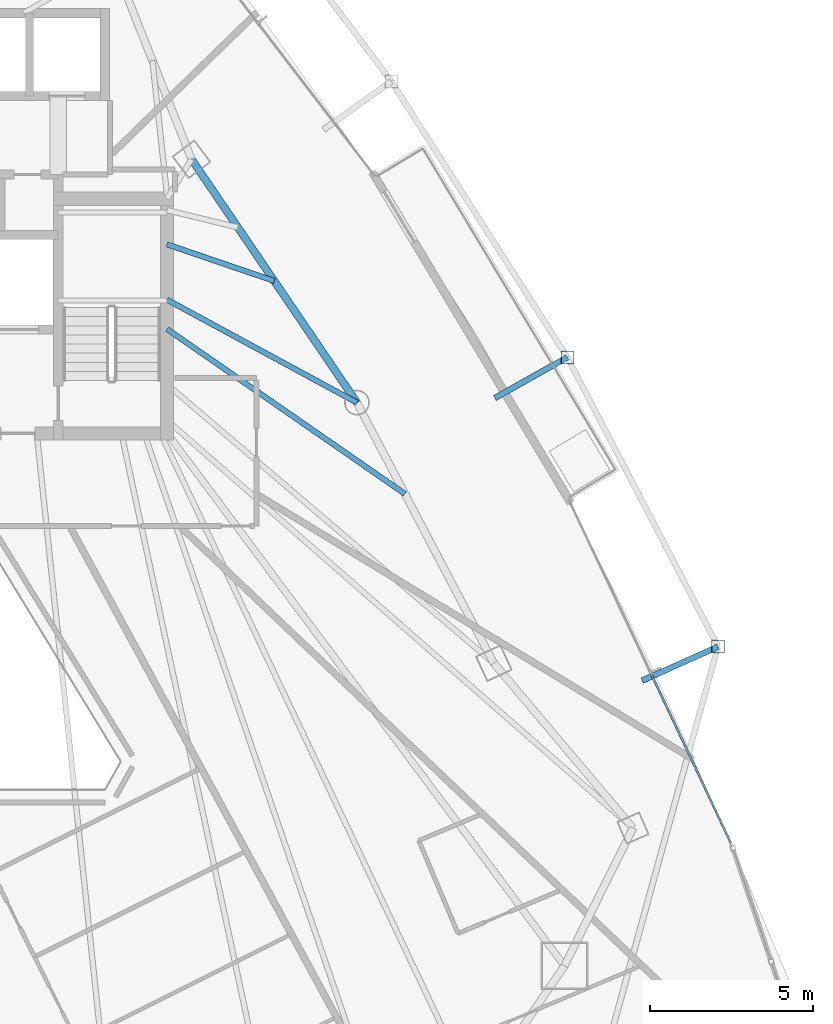
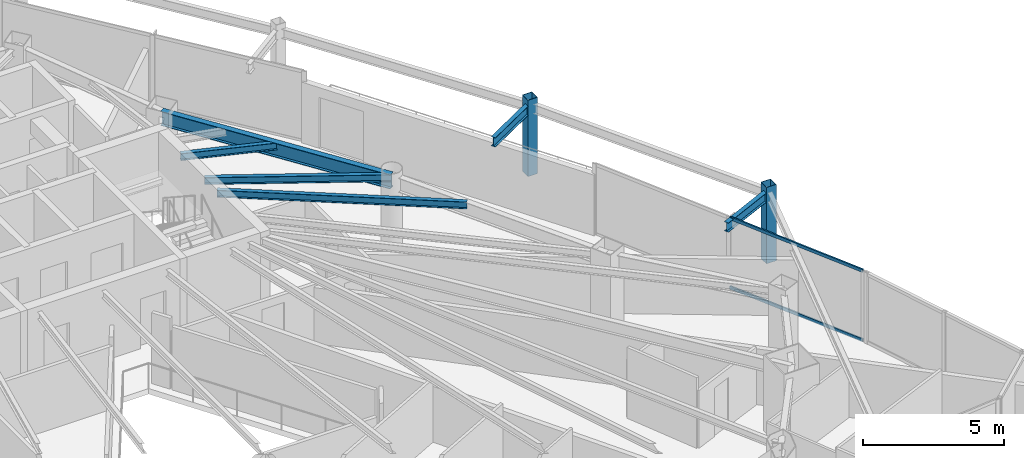
# One storey, part 16 of 31: 6 beams, 4 members, 1 element without a shape of its own.
"""IFC4 building model written with IfcOpenShell, lengths in metres."""

from ifc_helpers import new_model, si_unit, direction, frame, origin, origin_2d, place, context, subcontext, project, spatial, hollow_rectangle, i_section, extrude, material, layer, layer_set, material_profile, profile_set, type_object, element, aggregate, save


model = new_model("IFC4")

# Units and contexts
model_context = context("Model", 3, precision=1e-05, world=origin(), true_north=direction((0.0, 1.0)))
body_context = subcontext(model_context, "Body", "Model", "MODEL_VIEW")
ifc_project = project(units=[si_unit("LENGTHUNIT", "METRE"), si_unit("AREAUNIT", "SQUARE_METRE"), si_unit("VOLUMEUNIT", "CUBIC_METRE"), si_unit("PLANEANGLEUNIT", "RADIAN"), si_unit("MASSUNIT", "GRAM", prefix="KILO")], contexts=[model_context])

# Site, building, storey
site_placement = place(None, origin())
site = spatial("IfcSite", under=ifc_project, at=site_placement, CompositionType="ELEMENT")
building_placement = place(site_placement, origin())
building = spatial("IfcBuilding", under=site, at=building_placement, Name="Orvanel Arch Residences", CompositionType="ELEMENT")
storey_placement = place(building_placement, frame((0.0, 0.0, 106.699951171875)))
storey = spatial("IfcBuildingStorey", under=building, at=storey_placement, Name="L29", CompositionType="ELEMENT", Elevation=106.699951171875)

# Beams
ifc_material_1 = material(Name="Structural steel AS/NZS 3679.1 Grade 300 (300 MPa)", Category="steel")
ifc_material_profile_1 = material_profile(ifc_material_1, i_section(OverallWidth=0.1650390625, OverallDepth=0.303955078125, WebThickness=0.006103515625, FlangeThickness=0.01025390625, at=origin_2d()), Name="310UB40.4")
ifc_profile_set_1 = profile_set([ifc_material_profile_1], Name="Structural steel AS/NZS 3679.1 Grade 300 (300 MPa)")
beam_type_1 = type_object("IfcBeamType", Name="BJ-310UB", PredefinedType="JOIST", material=ifc_profile_set_1)
beam_1_placement = place(storey_placement, frame((39.60009765625, 30.800048828125, 2.907958984375), z_axis=(0.87925534649, -0.476350748576, 0.0), x_axis=(0.476350748576, 0.87925534649, 0.0)))
element("IfcBeam", 1, at=beam_1_placement, inside=storey, type_object=beam_type_1, Name="L29 NE Wing Floor Joist", PredefinedType="JOIST", context=body_context, shape_type="SweptSolid", body=[
    extrude(i_section(OverallWidth=0.1650390625, OverallDepth=0.303955078125, WebThickness=0.006103515625, FlangeThickness=0.01025390625, at=origin_2d()), origin(), (0.0, 0.0, 1.0), 6.631591796875),
])
beam_2_placement = place(storey_placement, frame((39.60009765625, 32.5, 2.907958984375), z_axis=(0.9464126781, -0.322959815969, 0.0), x_axis=(0.322959815969, 0.9464126781, 0.0)))
element("IfcBeam", 2, at=beam_2_placement, inside=storey, type_object=beam_type_1, Name="L29 ENE Wing Floor Joist", PredefinedType="JOIST", context=body_context, shape_type="SweptSolid", body=[
    extrude(i_section(OverallWidth=0.1650390625, OverallDepth=0.303955078125, WebThickness=0.006103515625, FlangeThickness=0.01025390625, at=origin_2d()), origin(), (0.0, 0.0, 1.0), 3.477294921875),
])
beam_3_placement = place(storey_placement, frame((39.60009765625, 29.89990234375, 2.907958984375), z_axis=(0.822002180325, -0.569484341787, 0.0), x_axis=(0.569484341787, 0.822002180325, 0.0)))
element("IfcBeam", 3, at=beam_3_placement, inside=storey, type_object=beam_type_1, Name="L29 CTE Wing Floor Joist", PredefinedType="JOIST", context=body_context, shape_type="SweptSolid", body=[
    extrude(i_section(OverallWidth=0.1650390625, OverallDepth=0.303955078125, WebThickness=0.006103515625, FlangeThickness=0.01025390625, at=origin_2d()), origin(), (0.0, 0.0, 1.0), 8.88330078125),
])
ifc_material_profile_2 = material_profile(ifc_material_1, i_section(OverallWidth=0.177978515625, OverallDepth=0.406005859375, WebThickness=0.0078125, FlangeThickness=0.0126953125, at=origin_2d()), Name="410UB59.7")
ifc_profile_set_2 = profile_set([ifc_material_profile_2], Name="Structural steel AS/NZS 3679.1 Grade 300 (300 MPa)")
beam_type_2 = type_object("IfcBeamType", Name="OB-410UB-EXT", PredefinedType="SPANDREL", material=ifc_profile_set_2)
beam_4_placement = place(storey_placement, frame((54.18701171875, 19.10595703125, 2.85693359375), z_axis=(0.912527808644, 0.409014667771, 0.0), x_axis=(-0.409014667771, 0.912527808644, 0.0)))
element("IfcBeam", 4, at=beam_4_placement, inside=storey, type_object=beam_type_2, Name="L29 Outer Frame Radial Tie Beam 09", PredefinedType="SPANDREL", context=body_context, shape_type="SweptSolid", body=[
    extrude(i_section(OverallWidth=0.177978515625, OverallDepth=0.406005859375, WebThickness=0.0078125, FlangeThickness=0.0126953125, at=origin_2d()), origin(), (0.0, 0.0, 1.0), 2.550048828125),
])
beam_5_placement = place(storey_placement, frame((49.666015625, 27.782958984375, 2.85693359375), z_axis=(0.871639445711, 0.490147607034, 0.0), x_axis=(-0.490147607034, 0.871639445711, 0.0)))
element("IfcBeam", 5, at=beam_5_placement, inside=storey, type_object=beam_type_2, Name="L29 Outer Frame Radial Tie Beam 10", PredefinedType="SPANDREL", context=body_context, shape_type="SweptSolid", body=[
    extrude(i_section(OverallWidth=0.177978515625, OverallDepth=0.406005859375, WebThickness=0.0078125, FlangeThickness=0.0126953125, at=origin_2d()), origin(), (0.0, 0.0, 1.0), 2.55029296875),
])
ifc_material_profile_3 = material_profile(ifc_material_1, i_section(OverallWidth=0.22900390625, OverallDepth=0.612060546875, WebThickness=0.011962890625, FlangeThickness=0.01953125, at=origin_2d()), Name="610UB125")
ifc_profile_set_3 = profile_set([ifc_material_profile_3], Name="Structural steel AS/NZS 3679.1 Grade 300 (300 MPa)")
beam_type_3 = type_object("IfcBeamType", Name="SP-610UB", PredefinedType="SPANDREL", material=ifc_profile_set_3)
beam_6_placement = place(storey_placement, frame((45.430908203125, 27.64111328125, 2.754150390625), z_axis=(-0.562154793153, 0.827032035978, 0.0), x_axis=(-0.827032035978, -0.562154793153, 0.0)))
element("IfcBeam", 6, at=beam_6_placement, inside=storey, type_object=beam_type_3, Name="L29 Perimeter Spandrel Beam 12", PredefinedType="SPANDREL", context=body_context, shape_type="SweptSolid", body=[
    extrude(i_section(OverallWidth=0.22900390625, OverallDepth=0.612060546875, WebThickness=0.011962890625, FlangeThickness=0.01953125, at=origin_2d()), origin(), (0.0, 0.0, 1.0), 9.03466796875),
])

# Members
ifc_material_2 = material(Name="Structural steel AS/NZS 1163 C450L0 (Grade 450)", Category="steel")
ifc_material_profile_4 = material_profile(ifc_material_2, hollow_rectangle(XDim=0.39990234375, YDim=0.39990234375, WallThickness=0.01611328125, at=origin_2d()), Name="SHS400x400x16")
ifc_profile_set_4 = profile_set([ifc_material_profile_4], Name="Structural steel AS/NZS 1163 C450L0 (Grade 450)")
member_type_1 = type_object("IfcMemberType", Name="ST-400SHS-EXT", PredefinedType="STRUT", material=ifc_profile_set_4)
for number, where, z_axis, x_axis, name in (
    (7, (56.513916015625, 20.14892578125, 0.0), (0.0, 0.0, 1.0), (1.0, 0.0, 0.0), "L29 Outer Perimeter Frame Post 09"),
    (8, (51.888916015625, 29.032958984375, 0.0), (0.0, 0.0, 1.0), (1.0, 0.0, 0.0), "L29 Outer Perimeter Frame Post 10"),
):
    element("IfcMember", number, at=place(storey_placement, frame(where, z_axis=z_axis, x_axis=x_axis)), inside=storey, type_object=member_type_1, Name=name, PredefinedType="STRUT", context=body_context, shape_type="SweptSolid", body=[
        extrude(hollow_rectangle(XDim=0.39990234375, YDim=0.39990234375, WallThickness=0.01611328125, at=origin_2d()), origin(), (0.0, 0.0, 1.0), 3.300048828125),
    ])

# Curtain wall, members
ifc_material_3 = material(Name="Bronze-anodised aluminium AA6063-T6", Category="aluminium")
ifc_layer = layer(ifc_material_3, 0.179931640625)
ifc_layer_set = layer_set([ifc_layer], Name="Bronze-anodised aluminium AA6063-T6")
curtain_wall_type = type_object("IfcCurtainWallType", Name="CW3-MID-SYS", PredefinedType="NOTDEFINED", material=ifc_layer_set)
curtain_wall_placement = place(storey_placement, origin())
curtain_wall = element("IfcCurtainWall", 9, at=curtain_wall_placement, inside=storey, type_object=curtain_wall_type, Name="L29 CW3-MID-SYS Unitised Curtain Wall", PredefinedType="NOTDEFINED")
ifc_material_profile_5 = material_profile(ifc_material_3, hollow_rectangle(XDim=0.06005859375, YDim=0.135009765625, WallThickness=0.00390625, at=origin_2d()), Name="ALU135x60x4")
ifc_profile_set_5 = profile_set([ifc_material_profile_5], Name="Bronze-anodised aluminium AA6063-T6")
member_type_2 = type_object("IfcMemberType", Name="TRN-135x60", PredefinedType="USERDEFINED", material=ifc_profile_set_5)
member_1_placement = place(storey_placement, frame((56.903076171875, 14.139404296875, 0.030029296875), z_axis=(-0.42661999141, 0.904430971898, 0.0), x_axis=(-0.904430971898, -0.42661999141, 0.0)))
member_1 = element("IfcMember", 10, at=member_1_placement, type_object=member_type_2, Name="CW-S3 transom 1.1", ObjectType="TRANSOM", PredefinedType="USERDEFINED", context=body_context, shape_type="SweptSolid", body=[
    extrude(hollow_rectangle(XDim=0.06005859375, YDim=0.135009765625, WallThickness=0.00390625, at=origin_2d()), origin(), (0.0, 0.0, 1.0), 5.727783203125),
])
member_2_placement = place(storey_placement, frame((56.903076171875, 14.139404296875, 3.030029296875), z_axis=(-0.42661999141, 0.904430971898, 0.0), x_axis=(-0.904430971898, -0.42661999141, 0.0)))
member_2 = element("IfcMember", 11, at=member_2_placement, type_object=member_type_2, Name="CW-S3 transom 1.2", ObjectType="TRANSOM", PredefinedType="USERDEFINED", context=body_context, shape_type="SweptSolid", body=[
    extrude(hollow_rectangle(XDim=0.06005859375, YDim=0.135009765625, WallThickness=0.00390625, at=origin_2d()), origin(), (0.0, 0.0, 1.0), 5.727783203125),
])
aggregate(curtain_wall, [member_1, member_2])

save(model, "model.ifc")
